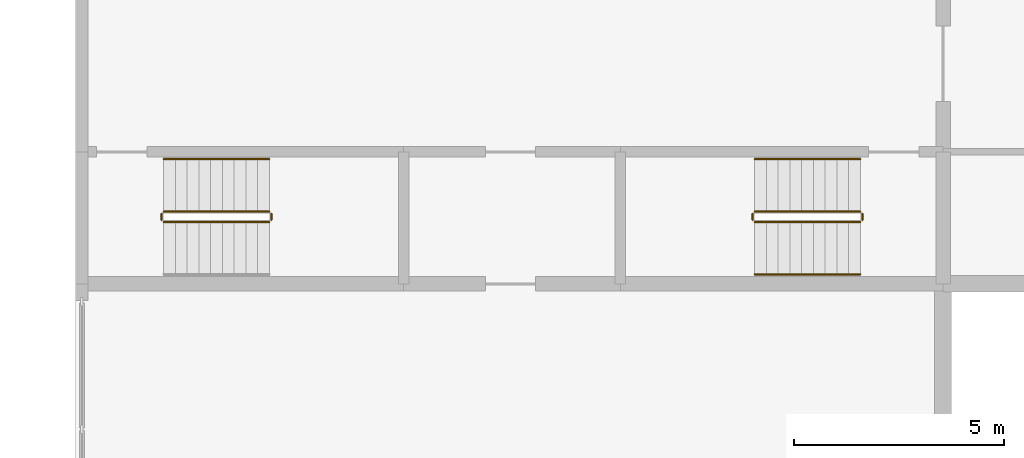
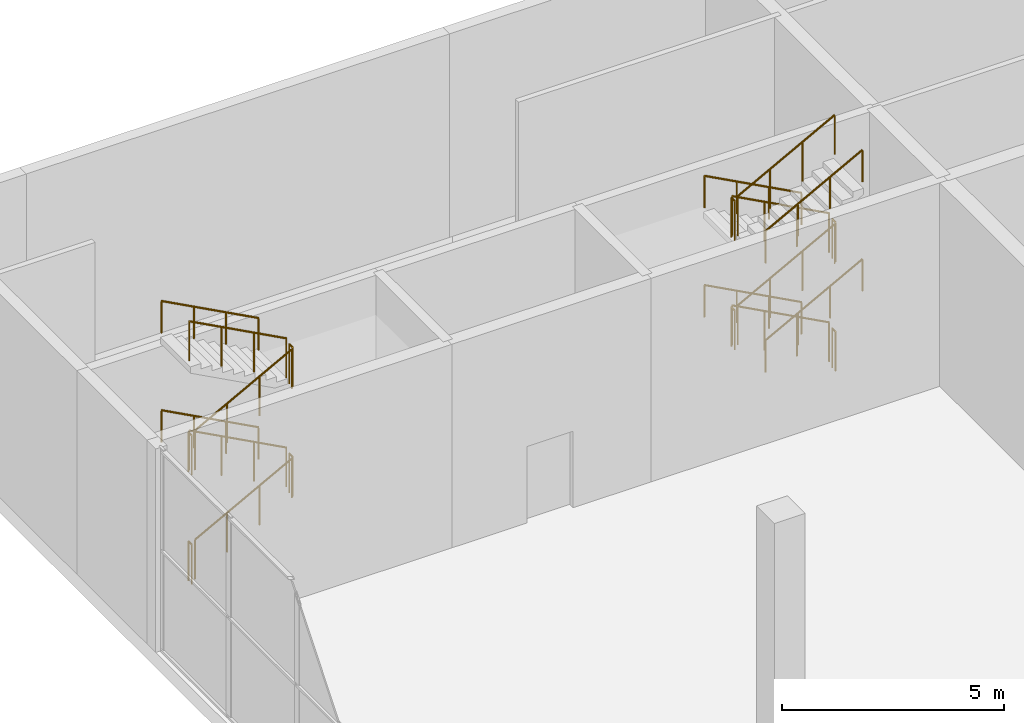
# One storey, part 49 of 51: 22 railings.
"""IFC4 building model written with IfcOpenShell, lengths in metres."""

from ifc_helpers import new_model, si_unit, direction, frame, origin, origin_2d, place, context, subcontext, project, spatial, circle, extrude, material, type_object, element, save


model = new_model("IFC4")

# Units and contexts
model_context = context("Model", 3, precision=1e-05, world=origin(), true_north=direction((0.0, 1.0)))
body_context = subcontext(model_context, "Body", "Model", "MODEL_VIEW")
ifc_project = project(units=[si_unit("LENGTHUNIT", "METRE"), si_unit("AREAUNIT", "SQUARE_METRE"), si_unit("VOLUMEUNIT", "CUBIC_METRE"), si_unit("PLANEANGLEUNIT", "RADIAN"), si_unit("MASSUNIT", "GRAM", prefix="KILO")], contexts=[model_context])

# Site, building, storey
site_placement = place(None, origin())
site = spatial("IfcSite", under=ifc_project, at=site_placement, CompositionType="ELEMENT")
building_placement = place(site_placement, origin())
building = spatial("IfcBuilding", under=site, at=building_placement, Name="Jabali Bay Hotel Tower and Convention Centre", CompositionType="ELEMENT")
storey_placement = place(building_placement, frame((0.0, 0.0, 9.0)))
storey = spatial("IfcBuildingStorey", under=building, at=storey_placement, Name="L01", CompositionType="ELEMENT", Elevation=9.0)

# Railings
ifc_material = material(Name="Stainless steel 304", Category="steel")
railing_type_1 = type_object("IfcRailingType", Name="CC Stair Guard 1100", PredefinedType="GUARDRAIL", material=ifc_material)
railing_1_placement = place(storey_placement, frame((152.10009765625, 101.47509765625, 0.14990234375)))
element("IfcRailing", 1, at=railing_1_placement, inside=storey, type_object=railing_type_1, Name="L01 CC-STWA stair guard 1", PredefinedType="GUARDRAIL", context=body_context, shape_type="SweptSolid", body=[
    extrude(circle(Radius=0.02392578125, at=origin_2d()), frame((0.0, 0.0, 1.076171875), z_axis=(0.881467274426, 0.0, 0.472245110209), x_axis=(0.0, 1.0, 0.0)), (0.0, 0.0, 1.0), 2.85888671875),
    extrude(circle(Radius=0.02099609375, at=origin_2d()), origin(), (0.0, 0.0, 1.0), 1.052001953125),
    extrude(circle(Radius=0.02099609375, at=origin_2d()), frame((0.840087890625, 0.0, 0.449951171875)), (0.0, 0.0, 1.0), 1.052001953125),
    extrude(circle(Radius=0.02099609375, at=origin_2d()), frame((1.679931640625, 0.0, 0.900146484375)), (0.0, 0.0, 1.0), 1.052001953125),
    extrude(circle(Radius=0.02099609375, at=origin_2d()), frame((2.52001953125, 0.0, 1.35009765625)), (0.0, 0.0, 1.0), 1.052001953125),
])
railing_2_placement = place(storey_placement, frame((154.669921875, 101.52490234375, 1.5)))
element("IfcRailing", 2, at=railing_2_placement, inside=storey, type_object=railing_type_1, Name="L01 CC-STWA stair guard 2", PredefinedType="GUARDRAIL", context=body_context, shape_type="SweptSolid", body=[
    extrude(circle(Radius=0.02392578125, at=origin_2d()), frame((0.0, 0.0, 1.076171875), z_axis=(0.0, 1.0, 0.0), x_axis=(-1.0, 0.0, 0.0)), (0.0, 0.0, 1.0), 0.150146484375),
    extrude(circle(Radius=0.02099609375, at=origin_2d()), origin(), (0.0, 0.0, 1.0), 1.052001953125),
    extrude(circle(Radius=0.02099609375, at=origin_2d()), frame((0.0, 0.150146484375, 0.0)), (0.0, 0.0, 1.0), 1.052001953125),
])
railing_3_placement = place(storey_placement, frame((154.6201171875, 101.72509765625, 1.64990234375)))
element("IfcRailing", 3, at=railing_3_placement, inside=storey, type_object=railing_type_1, Name="L01 CC-STWA stair guard 3", PredefinedType="GUARDRAIL", context=body_context, shape_type="SweptSolid", body=[
    extrude(circle(Radius=0.02392578125, at=origin_2d()), frame((0.0, 0.0, 1.076171875), z_axis=(-0.881467274426, 0.0, 0.472245110209), x_axis=(0.0, -1.0, 0.0)), (0.0, 0.0, 1.0), 2.85888671875),
    extrude(circle(Radius=0.02099609375, at=origin_2d()), origin(), (0.0, 0.0, 1.0), 1.052001953125),
    extrude(circle(Radius=0.02099609375, at=origin_2d()), frame((-0.840087890625, 0.0, 0.449951171875)), (0.0, 0.0, 1.0), 1.052001953125),
    extrude(circle(Radius=0.02099609375, at=origin_2d()), frame((-1.679931640625, 0.0, 0.900146484375)), (0.0, 0.0, 1.0), 1.052001953125),
    extrude(circle(Radius=0.02099609375, at=origin_2d()), frame((-2.52001953125, 0.0, 1.35009765625)), (0.0, 0.0, 1.0), 1.052001953125),
])
railing_4_placement = place(storey_placement, frame((152.050048828125, 101.52490234375, 3.0)))
element("IfcRailing", 4, at=railing_4_placement, inside=storey, type_object=railing_type_1, Name="L01 CC-STWA stair guard 4", PredefinedType="GUARDRAIL", context=body_context, shape_type="SweptSolid", body=[
    extrude(circle(Radius=0.02392578125, at=origin_2d()), frame((0.0, 0.0, 1.076171875), z_axis=(0.0, 1.0, 0.0), x_axis=(-1.0, 0.0, 0.0)), (0.0, 0.0, 1.0), 0.150146484375),
    extrude(circle(Radius=0.02099609375, at=origin_2d()), origin(), (0.0, 0.0, 1.0), 1.052001953125),
    extrude(circle(Radius=0.02099609375, at=origin_2d()), frame((0.0, 0.150146484375, 0.0)), (0.0, 0.0, 1.0), 1.052001953125),
])
railing_5_placement = place(storey_placement, frame((152.10009765625, 101.47509765625, 3.14990234375)))
element("IfcRailing", 5, at=railing_5_placement, inside=storey, type_object=railing_type_1, Name="L01 CC-STWA stair guard 5", PredefinedType="GUARDRAIL", context=body_context, shape_type="SweptSolid", body=[
    extrude(circle(Radius=0.02392578125, at=origin_2d()), frame((0.0, 0.0, 1.076171875), z_axis=(0.881467274426, 0.0, 0.472245110209), x_axis=(0.0, 1.0, 0.0)), (0.0, 0.0, 1.0), 2.85888671875),
    extrude(circle(Radius=0.02099609375, at=origin_2d()), origin(), (0.0, 0.0, 1.0), 1.052001953125),
    extrude(circle(Radius=0.02099609375, at=origin_2d()), frame((0.840087890625, 0.0, 0.449951171875)), (0.0, 0.0, 1.0), 1.052001953125),
    extrude(circle(Radius=0.02099609375, at=origin_2d()), frame((1.679931640625, 0.0, 0.900146484375)), (0.0, 0.0, 1.0), 1.052001953125),
    extrude(circle(Radius=0.02099609375, at=origin_2d()), frame((2.52001953125, 0.0, 1.35009765625)), (0.0, 0.0, 1.0), 1.052001953125),
])
railing_6_placement = place(storey_placement, frame((154.669921875, 101.52490234375, 4.5)))
element("IfcRailing", 6, at=railing_6_placement, inside=storey, type_object=railing_type_1, Name="L01 CC-STWA stair guard 6", PredefinedType="GUARDRAIL", context=body_context, shape_type="SweptSolid", body=[
    extrude(circle(Radius=0.02392578125, at=origin_2d()), frame((0.0, 0.0, 1.076171875), z_axis=(0.0, 1.0, 0.0), x_axis=(-1.0, 0.0, 0.0)), (0.0, 0.0, 1.0), 0.150146484375),
    extrude(circle(Radius=0.02099609375, at=origin_2d()), origin(), (0.0, 0.0, 1.0), 1.052001953125),
    extrude(circle(Radius=0.02099609375, at=origin_2d()), frame((0.0, 0.150146484375, 0.0)), (0.0, 0.0, 1.0), 1.052001953125),
])
railing_7_placement = place(storey_placement, frame((154.6201171875, 101.72509765625, 4.64990234375)))
element("IfcRailing", 7, at=railing_7_placement, inside=storey, type_object=railing_type_1, Name="L01 CC-STWA stair guard 7", PredefinedType="GUARDRAIL", context=body_context, shape_type="SweptSolid", body=[
    extrude(circle(Radius=0.02392578125, at=origin_2d()), frame((0.0, 0.0, 1.076171875), z_axis=(-0.881467274426, 0.0, 0.472245110209), x_axis=(0.0, -1.0, 0.0)), (0.0, 0.0, 1.0), 2.85888671875),
    extrude(circle(Radius=0.02099609375, at=origin_2d()), origin(), (0.0, 0.0, 1.0), 1.052001953125),
    extrude(circle(Radius=0.02099609375, at=origin_2d()), frame((-0.840087890625, 0.0, 0.449951171875)), (0.0, 0.0, 1.0), 1.052001953125),
    extrude(circle(Radius=0.02099609375, at=origin_2d()), frame((-1.679931640625, 0.0, 0.900146484375)), (0.0, 0.0, 1.0), 1.052001953125),
    extrude(circle(Radius=0.02099609375, at=origin_2d()), frame((-2.52001953125, 0.0, 1.35009765625)), (0.0, 0.0, 1.0), 1.052001953125),
])
railing_8_placement = place(storey_placement, frame((152.050048828125, 101.52490234375, 0.0)))
element("IfcRailing", 8, at=railing_8_placement, inside=storey, type_object=railing_type_1, Name="L01 CC-STWA stair guard 8", PredefinedType="GUARDRAIL", context=body_context, shape_type="SweptSolid", body=[
    extrude(circle(Radius=0.02392578125, at=origin_2d()), frame((0.0, 0.0, 1.076171875), z_axis=(0.0, 1.0, 0.0), x_axis=(-1.0, 0.0, 0.0)), (0.0, 0.0, 1.0), 0.150146484375),
    extrude(circle(Radius=0.02099609375, at=origin_2d()), origin(), (0.0, 0.0, 1.0), 1.052001953125),
    extrude(circle(Radius=0.02099609375, at=origin_2d()), frame((0.0, 0.150146484375, 0.0)), (0.0, 0.0, 1.0), 1.052001953125),
])
railing_9_placement = place(storey_placement, frame((168.72509765625, 101.72509765625, 0.14990234375)))
element("IfcRailing", 9, at=railing_9_placement, inside=storey, type_object=railing_type_1, Name="L01 CC-STWB stair guard 1", PredefinedType="GUARDRAIL", context=body_context, shape_type="SweptSolid", body=[
    extrude(circle(Radius=0.02392578125, at=origin_2d()), frame((0.0, 0.0, 1.076171875), z_axis=(-0.881467274426, 0.0, 0.472245110209), x_axis=(0.0, -1.0, 0.0)), (0.0, 0.0, 1.0), 2.85888671875),
    extrude(circle(Radius=0.02099609375, at=origin_2d()), origin(), (0.0, 0.0, 1.0), 1.052001953125),
    extrude(circle(Radius=0.02099609375, at=origin_2d()), frame((-0.840087890625, 0.0, 0.449951171875)), (0.0, 0.0, 1.0), 1.052001953125),
    extrude(circle(Radius=0.02099609375, at=origin_2d()), frame((-1.679931640625, 0.0, 0.900146484375)), (0.0, 0.0, 1.0), 1.052001953125),
    extrude(circle(Radius=0.02099609375, at=origin_2d()), frame((-2.52001953125, 0.0, 1.35009765625)), (0.0, 0.0, 1.0), 1.052001953125),
])
railing_10_placement = place(storey_placement, frame((166.155029296875, 101.675048828125, 1.5)))
element("IfcRailing", 10, at=railing_10_placement, inside=storey, type_object=railing_type_1, Name="L01 CC-STWB stair guard 2", PredefinedType="GUARDRAIL", context=body_context, shape_type="SweptSolid", body=[
    extrude(circle(Radius=0.02392578125, at=origin_2d()), frame((0.0, 0.0, 1.076171875), z_axis=(0.0, -1.0, 0.0), x_axis=(1.0, 0.0, 0.0)), (0.0, 0.0, 1.0), 0.150146484375),
    extrude(circle(Radius=0.02099609375, at=origin_2d()), origin(), (0.0, 0.0, 1.0), 1.052001953125),
    extrude(circle(Radius=0.02099609375, at=origin_2d()), frame((0.0, -0.150146484375, 0.0)), (0.0, 0.0, 1.0), 1.052001953125),
])
railing_11_placement = place(storey_placement, frame((166.205078125, 101.47509765625, 1.64990234375)))
element("IfcRailing", 11, at=railing_11_placement, inside=storey, type_object=railing_type_1, Name="L01 CC-STWB stair guard 3", PredefinedType="GUARDRAIL", context=body_context, shape_type="SweptSolid", body=[
    extrude(circle(Radius=0.02392578125, at=origin_2d()), frame((0.0, 0.0, 1.076171875), z_axis=(0.881467274426, 0.0, 0.472245110209), x_axis=(0.0, 1.0, 0.0)), (0.0, 0.0, 1.0), 2.85888671875),
    extrude(circle(Radius=0.02099609375, at=origin_2d()), origin(), (0.0, 0.0, 1.0), 1.052001953125),
    extrude(circle(Radius=0.02099609375, at=origin_2d()), frame((0.840087890625, 0.0, 0.449951171875)), (0.0, 0.0, 1.0), 1.052001953125),
    extrude(circle(Radius=0.02099609375, at=origin_2d()), frame((1.679931640625, 0.0, 0.900146484375)), (0.0, 0.0, 1.0), 1.052001953125),
    extrude(circle(Radius=0.02099609375, at=origin_2d()), frame((2.52001953125, 0.0, 1.35009765625)), (0.0, 0.0, 1.0), 1.052001953125),
])
railing_12_placement = place(storey_placement, frame((168.77490234375, 101.675048828125, 3.0)))
element("IfcRailing", 12, at=railing_12_placement, inside=storey, type_object=railing_type_1, Name="L01 CC-STWB stair guard 4", PredefinedType="GUARDRAIL", context=body_context, shape_type="SweptSolid", body=[
    extrude(circle(Radius=0.02392578125, at=origin_2d()), frame((0.0, 0.0, 1.076171875), z_axis=(0.0, -1.0, 0.0), x_axis=(1.0, 0.0, 0.0)), (0.0, 0.0, 1.0), 0.150146484375),
    extrude(circle(Radius=0.02099609375, at=origin_2d()), origin(), (0.0, 0.0, 1.0), 1.052001953125),
    extrude(circle(Radius=0.02099609375, at=origin_2d()), frame((0.0, -0.150146484375, 0.0)), (0.0, 0.0, 1.0), 1.052001953125),
])
railing_13_placement = place(storey_placement, frame((168.72509765625, 101.72509765625, 3.14990234375)))
element("IfcRailing", 13, at=railing_13_placement, inside=storey, type_object=railing_type_1, Name="L01 CC-STWB stair guard 5", PredefinedType="GUARDRAIL", context=body_context, shape_type="SweptSolid", body=[
    extrude(circle(Radius=0.02392578125, at=origin_2d()), frame((0.0, 0.0, 1.076171875), z_axis=(-0.881467274426, 0.0, 0.472245110209), x_axis=(0.0, -1.0, 0.0)), (0.0, 0.0, 1.0), 2.85888671875),
    extrude(circle(Radius=0.02099609375, at=origin_2d()), origin(), (0.0, 0.0, 1.0), 1.052001953125),
    extrude(circle(Radius=0.02099609375, at=origin_2d()), frame((-0.840087890625, 0.0, 0.449951171875)), (0.0, 0.0, 1.0), 1.052001953125),
    extrude(circle(Radius=0.02099609375, at=origin_2d()), frame((-1.679931640625, 0.0, 0.900146484375)), (0.0, 0.0, 1.0), 1.052001953125),
    extrude(circle(Radius=0.02099609375, at=origin_2d()), frame((-2.52001953125, 0.0, 1.35009765625)), (0.0, 0.0, 1.0), 1.052001953125),
])
railing_14_placement = place(storey_placement, frame((166.155029296875, 101.675048828125, 4.5)))
element("IfcRailing", 14, at=railing_14_placement, inside=storey, type_object=railing_type_1, Name="L01 CC-STWB stair guard 6", PredefinedType="GUARDRAIL", context=body_context, shape_type="SweptSolid", body=[
    extrude(circle(Radius=0.02392578125, at=origin_2d()), frame((0.0, 0.0, 1.076171875), z_axis=(0.0, -1.0, 0.0), x_axis=(1.0, 0.0, 0.0)), (0.0, 0.0, 1.0), 0.150146484375),
    extrude(circle(Radius=0.02099609375, at=origin_2d()), origin(), (0.0, 0.0, 1.0), 1.052001953125),
    extrude(circle(Radius=0.02099609375, at=origin_2d()), frame((0.0, -0.150146484375, 0.0)), (0.0, 0.0, 1.0), 1.052001953125),
])
railing_15_placement = place(storey_placement, frame((166.205078125, 101.47509765625, 4.64990234375)))
element("IfcRailing", 15, at=railing_15_placement, inside=storey, type_object=railing_type_1, Name="L01 CC-STWB stair guard 7", PredefinedType="GUARDRAIL", context=body_context, shape_type="SweptSolid", body=[
    extrude(circle(Radius=0.02392578125, at=origin_2d()), frame((0.0, 0.0, 1.076171875), z_axis=(0.881467274426, 0.0, 0.472245110209), x_axis=(0.0, 1.0, 0.0)), (0.0, 0.0, 1.0), 2.85888671875),
    extrude(circle(Radius=0.02099609375, at=origin_2d()), origin(), (0.0, 0.0, 1.0), 1.052001953125),
    extrude(circle(Radius=0.02099609375, at=origin_2d()), frame((0.840087890625, 0.0, 0.449951171875)), (0.0, 0.0, 1.0), 1.052001953125),
    extrude(circle(Radius=0.02099609375, at=origin_2d()), frame((1.679931640625, 0.0, 0.900146484375)), (0.0, 0.0, 1.0), 1.052001953125),
    extrude(circle(Radius=0.02099609375, at=origin_2d()), frame((2.52001953125, 0.0, 1.35009765625)), (0.0, 0.0, 1.0), 1.052001953125),
])
railing_16_placement = place(storey_placement, frame((168.77490234375, 101.675048828125, 0.0)))
element("IfcRailing", 16, at=railing_16_placement, inside=storey, type_object=railing_type_1, Name="L01 CC-STWB stair guard 8", PredefinedType="GUARDRAIL", context=body_context, shape_type="SweptSolid", body=[
    extrude(circle(Radius=0.02392578125, at=origin_2d()), frame((0.0, 0.0, 1.076171875), z_axis=(0.0, -1.0, 0.0), x_axis=(1.0, 0.0, 0.0)), (0.0, 0.0, 1.0), 0.150146484375),
    extrude(circle(Radius=0.02099609375, at=origin_2d()), origin(), (0.0, 0.0, 1.0), 1.052001953125),
    extrude(circle(Radius=0.02099609375, at=origin_2d()), frame((0.0, -0.150146484375, 0.0)), (0.0, 0.0, 1.0), 1.052001953125),
])
railing_type_2 = type_object("IfcRailingType", Name="CC Stair Handrail 900", PredefinedType="HANDRAIL", material=ifc_material)
for number, where, name in (
    (17, (154.6201171875, 102.97509765625, 1.64990234375), "L01 CC-STWA stair handrail 2"),
    (18, (154.6201171875, 102.97509765625, 4.64990234375), "L01 CC-STWA stair handrail 4"),
    (19, (168.72509765625, 102.97509765625, 0.14990234375), "L01 CC-STWB stair handrail 1"),
):
    element("IfcRailing", number, at=place(storey_placement, frame(where)), inside=storey, type_object=railing_type_2, Name=name, PredefinedType="HANDRAIL", context=body_context, shape_type="SweptSolid", body=[
        extrude(circle(Radius=0.02392578125, at=origin_2d()), frame((0.0, 0.0, 0.8759765625), z_axis=(-0.881467274426, 0.0, 0.472245110209), x_axis=(0.0, -1.0, 0.0)), (0.0, 0.0, 1.0), 2.85888671875),
        extrude(circle(Radius=0.02099609375, at=origin_2d()), origin(), (0.0, 0.0, 1.0), 0.851806640625),
        extrude(circle(Radius=0.02099609375, at=origin_2d()), frame((-0.840087890625, 0.0, 0.449951171875)), (0.0, 0.0, 1.0), 0.851806640625),
        extrude(circle(Radius=0.02099609375, at=origin_2d()), frame((-1.679931640625, 0.0, 0.900146484375)), (0.0, 0.0, 1.0), 0.851806640625),
        extrude(circle(Radius=0.02099609375, at=origin_2d()), frame((-2.52001953125, 0.0, 1.35009765625)), (0.0, 0.0, 1.0), 0.851806640625),
    ])
railing_17_placement = place(storey_placement, frame((166.205078125, 100.22509765625, 1.64990234375)))
element("IfcRailing", 20, at=railing_17_placement, inside=storey, type_object=railing_type_2, Name="L01 CC-STWB stair handrail 2", PredefinedType="HANDRAIL", context=body_context, shape_type="SweptSolid", body=[
    extrude(circle(Radius=0.02392578125, at=origin_2d()), frame((0.0, 0.0, 0.8759765625), z_axis=(0.881467274426, 0.0, 0.472245110209), x_axis=(0.0, 1.0, 0.0)), (0.0, 0.0, 1.0), 2.85888671875),
    extrude(circle(Radius=0.02099609375, at=origin_2d()), origin(), (0.0, 0.0, 1.0), 0.851806640625),
    extrude(circle(Radius=0.02099609375, at=origin_2d()), frame((0.840087890625, 0.0, 0.449951171875)), (0.0, 0.0, 1.0), 0.851806640625),
    extrude(circle(Radius=0.02099609375, at=origin_2d()), frame((1.679931640625, 0.0, 0.900146484375)), (0.0, 0.0, 1.0), 0.851806640625),
    extrude(circle(Radius=0.02099609375, at=origin_2d()), frame((2.52001953125, 0.0, 1.35009765625)), (0.0, 0.0, 1.0), 0.851806640625),
])
railing_18_placement = place(storey_placement, frame((168.72509765625, 102.97509765625, 3.14990234375)))
element("IfcRailing", 21, at=railing_18_placement, inside=storey, type_object=railing_type_2, Name="L01 CC-STWB stair handrail 3", PredefinedType="HANDRAIL", context=body_context, shape_type="SweptSolid", body=[
    extrude(circle(Radius=0.02392578125, at=origin_2d()), frame((0.0, 0.0, 0.8759765625), z_axis=(-0.881467274426, 0.0, 0.472245110209), x_axis=(0.0, -1.0, 0.0)), (0.0, 0.0, 1.0), 2.85888671875),
    extrude(circle(Radius=0.02099609375, at=origin_2d()), origin(), (0.0, 0.0, 1.0), 0.851806640625),
    extrude(circle(Radius=0.02099609375, at=origin_2d()), frame((-0.840087890625, 0.0, 0.449951171875)), (0.0, 0.0, 1.0), 0.851806640625),
    extrude(circle(Radius=0.02099609375, at=origin_2d()), frame((-1.679931640625, 0.0, 0.900146484375)), (0.0, 0.0, 1.0), 0.851806640625),
    extrude(circle(Radius=0.02099609375, at=origin_2d()), frame((-2.52001953125, 0.0, 1.35009765625)), (0.0, 0.0, 1.0), 0.851806640625),
])
railing_19_placement = place(storey_placement, frame((166.205078125, 100.22509765625, 4.64990234375)))
element("IfcRailing", 22, at=railing_19_placement, inside=storey, type_object=railing_type_2, Name="L01 CC-STWB stair handrail 4", PredefinedType="HANDRAIL", context=body_context, shape_type="SweptSolid", body=[
    extrude(circle(Radius=0.02392578125, at=origin_2d()), frame((0.0, 0.0, 0.8759765625), z_axis=(0.881467274426, 0.0, 0.472245110209), x_axis=(0.0, 1.0, 0.0)), (0.0, 0.0, 1.0), 2.85888671875),
    extrude(circle(Radius=0.02099609375, at=origin_2d()), origin(), (0.0, 0.0, 1.0), 0.851806640625),
    extrude(circle(Radius=0.02099609375, at=origin_2d()), frame((0.840087890625, 0.0, 0.449951171875)), (0.0, 0.0, 1.0), 0.851806640625),
    extrude(circle(Radius=0.02099609375, at=origin_2d()), frame((1.679931640625, 0.0, 0.900146484375)), (0.0, 0.0, 1.0), 0.851806640625),
    extrude(circle(Radius=0.02099609375, at=origin_2d()), frame((2.52001953125, 0.0, 1.35009765625)), (0.0, 0.0, 1.0), 0.851806640625),
])

save(model, "model.ifc")
